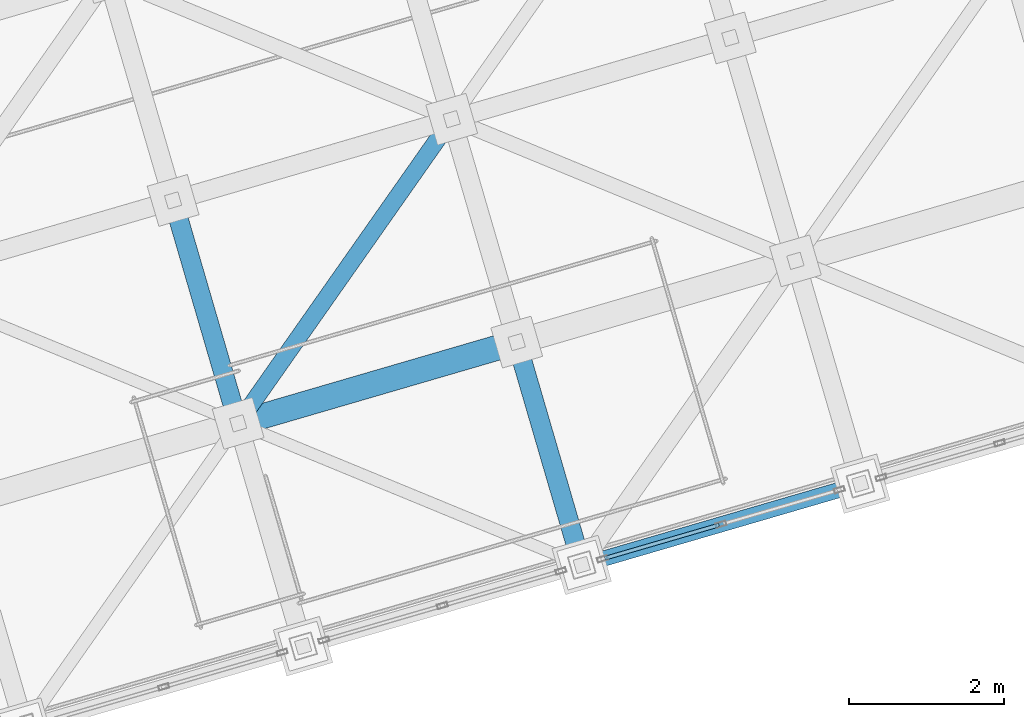
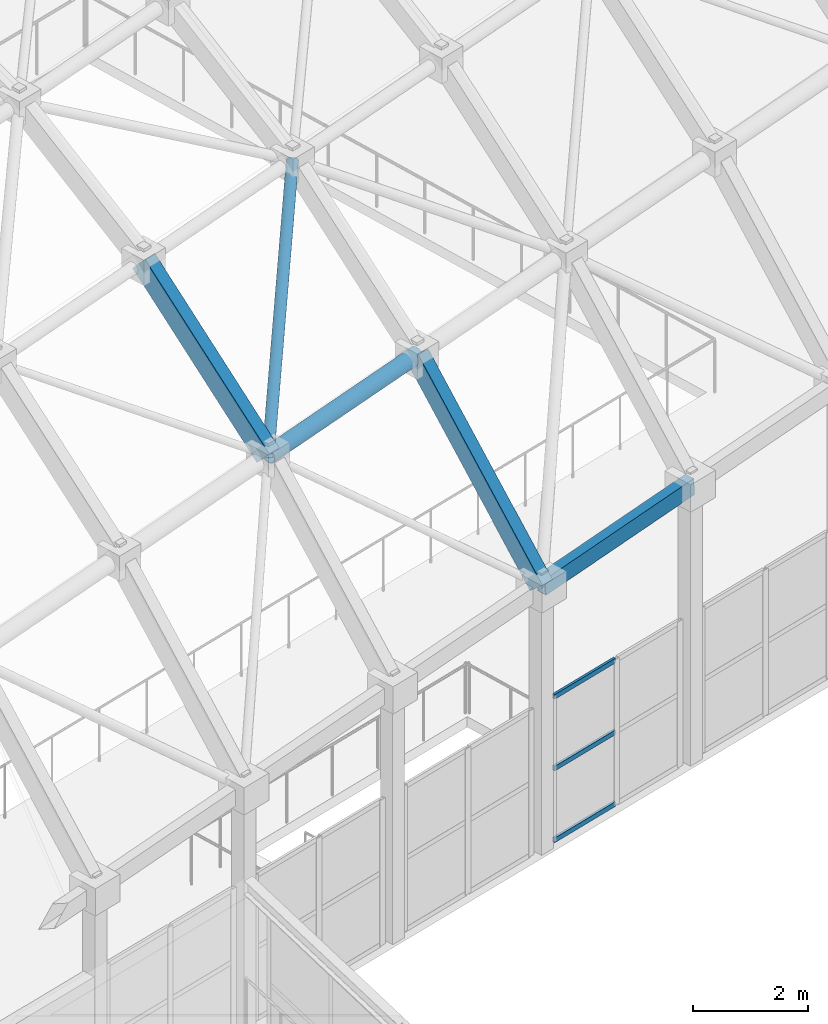
# One storey, part 61 of 248: 5 members, 3 beams, 1 element without a shape of its own.
"""IFC4 building model written with IfcOpenShell, lengths in metres."""

from ifc_helpers import new_model, si_unit, direction, frame, origin, origin_2d, place, context, subcontext, project, spatial, hollow_rectangle, hollow_circle, extrude, material, layer, layer_set, material_profile, profile_set, type_object, element, aggregate, save


model = new_model("IFC4")

# Units and contexts
model_context = context("Model", 3, precision=1e-05, world=origin(), true_north=direction((0.0, 1.0)))
body_context = subcontext(model_context, "Body", "Model", "MODEL_VIEW")
ifc_project = project(units=[si_unit("LENGTHUNIT", "METRE"), si_unit("AREAUNIT", "SQUARE_METRE"), si_unit("VOLUMEUNIT", "CUBIC_METRE"), si_unit("PLANEANGLEUNIT", "RADIAN"), si_unit("MASSUNIT", "GRAM", prefix="KILO")], contexts=[model_context])

# Site, building, storey
site_placement = place(None, origin())
site = spatial("IfcSite", under=ifc_project, at=site_placement, CompositionType="ELEMENT")
building_placement = place(site_placement, origin())
building = spatial("IfcBuilding", under=site, at=building_placement, Name="Canggui Botanical Conservatory", CompositionType="ELEMENT")
storey_placement = place(building_placement, frame((0.0, 0.0, 5.39990234375)))
storey = spatial("IfcBuildingStorey", under=building, at=storey_placement, Name="L02", CompositionType="ELEMENT", Elevation=5.39990234375)

# Beams
ifc_material_1 = material(Name="Steel Q355C", Category="steel")
ifc_material_profile_1 = material_profile(ifc_material_1, hollow_rectangle(XDim=0.25, YDim=0.449951171875, WallThickness=0.013916015625, at=origin_2d()), Name="RHS 250x450x14")
ifc_profile_set_1 = profile_set([ifc_material_profile_1], Name="Steel Q355C")
beam_type_1 = type_object("IfcBeamType", Name="BM-GJ02", PredefinedType="BEAM", material=ifc_profile_set_1)
beam_1_placement = place(storey_placement, frame((44.360107421875, 52.22998046875, 8.80615234375), z_axis=(-0.208553195479, 0.714996235706, 0.66729749556), x_axis=(-0.959995442804, -0.2800156242, 0.0)))
element("IfcBeam", 1, at=beam_1_placement, inside=storey, type_object=beam_type_1, Name="Conservatory Stepped-Arch Rib GJ-08 Segment 2", PredefinedType="BEAM", context=body_context, shape_type="SweptSolid", body=[
    extrude(hollow_rectangle(XDim=0.25, YDim=0.449951171875, WallThickness=0.013916015625, at=origin_2d()), origin(), (0.0, 0.0, 1.0), 4.028076171875),
])
ifc_material_profile_2 = material_profile(ifc_material_1, hollow_rectangle(XDim=0.25, YDim=0.39990234375, WallThickness=0.013916015625, at=origin_2d()), Name="RHS 250x400x14")
ifc_profile_set_2 = profile_set([ifc_material_profile_2], Name="Steel Q355C")
beam_type_2 = type_object("IfcBeamType", Name="BM-GJ03", PredefinedType="BEAM", material=ifc_profile_set_2)
beam_2_placement = place(storey_placement, frame((48.800048828125, 50.39990234375, 5.60009765625), z_axis=(-0.183561899057, 0.629316978545, 0.755159036051), x_axis=(-0.959995442804, -0.2800156242, 0.0)))
element("IfcBeam", 2, at=beam_2_placement, inside=storey, type_object=beam_type_2, Name="Conservatory Stepped-Arch Rib GJ-09 Segment 1", PredefinedType="BEAM", context=body_context, shape_type="SweptSolid", body=[
    extrude(hollow_rectangle(XDim=0.25, YDim=0.39990234375, WallThickness=0.013916015625, at=origin_2d()), origin(), (0.0, 0.0, 1.0), 4.57666015625),
])
ifc_material_profile_3 = material_profile(ifc_material_1, hollow_rectangle(XDim=0.199951171875, YDim=0.35009765625, WallThickness=0.011962890625, at=origin_2d()), Name="RHS 200x350x12")
ifc_profile_set_3 = profile_set([ifc_material_profile_3], Name="Steel Q355C")
beam_type_3 = type_object("IfcBeamType", Name="BM-RING01", PredefinedType="BEAM", material=ifc_profile_set_3)
beam_3_placement = place(storey_placement, frame((48.800048828125, 50.39990234375, 5.60009765625), z_axis=(0.957867059601, 0.279402253194, 0.066521252562), x_axis=(-0.280022500685, 0.959993437014, 0.0)))
element("IfcBeam", 3, at=beam_3_placement, inside=storey, type_object=beam_type_3, Name="Conservatory Perimeter Ring Beam V0-09", PredefinedType="BEAM", context=body_context, shape_type="SweptSolid", body=[
    extrude(hollow_rectangle(XDim=0.199951171875, YDim=0.35009765625, WallThickness=0.011962890625, at=origin_2d()), origin(), (0.0, 0.0, 1.0), 3.75830078125),
])

# Curtain wall, members
ifc_material_2 = material(Name="Thermally Broken Aluminium", Category="aluminium")
ifc_layer = layer(ifc_material_2, 0.135009765625, Name="Thermally Broken Aluminium", Category="aluminium")
ifc_layer_set = layer_set([ifc_layer], Name="Thermally Broken Aluminium")
curtain_wall_type = type_object("IfcCurtainWallType", Name="CW-STICK-A", PredefinedType="USERDEFINED", material=ifc_layer_set)
curtain_wall_placement = place(storey_placement, origin())
curtain_wall = element("IfcCurtainWall", 4, at=curtain_wall_placement, inside=storey, type_object=curtain_wall_type, Name="Facade Curtain Wall CW-CONS-L02-V0-09", ObjectType="STICK GLAZED WALL", PredefinedType="USERDEFINED")
ifc_material_profile_4 = material_profile(ifc_material_2, hollow_rectangle(XDim=0.050048828125, YDim=0.10009765625, WallThickness=0.0029296875, at=origin_2d()), Name="CWT 50x100x3")
ifc_profile_set_4 = profile_set([ifc_material_profile_4], Name="Thermally Broken Aluminium")
member_type_1 = type_object("IfcMemberType", Name="CWT-04", PredefinedType="USERDEFINED", material=ifc_profile_set_4)
member_1_placement = place(storey_placement, frame((50.5712890625, 50.91650390625, 0.025146484375), z_axis=(-0.960021373424, -0.279926709282, 0.0), x_axis=(0.279926709282, -0.960021373424, 0.0)))
member_1 = element("IfcMember", 5, at=member_1_placement, type_object=member_type_1, Name="CW-04 transom 2.1", ObjectType="TRANSOM", PredefinedType="USERDEFINED", context=body_context, shape_type="SweptSolid", body=[
    extrude(hollow_rectangle(XDim=0.050048828125, YDim=0.10009765625, WallThickness=0.0029296875, at=origin_2d()), origin(), (0.0, 0.0, 1.0), 1.534912109375),
])
member_2_placement = place(storey_placement, frame((50.5712890625, 50.91650390625, 1.550048828125), z_axis=(-0.960021373424, -0.279926709282, 0.0), x_axis=(0.279926709282, -0.960021373424, 0.0)))
member_2 = element("IfcMember", 6, at=member_2_placement, type_object=member_type_1, Name="CW-04 transom 2.2", ObjectType="TRANSOM", PredefinedType="USERDEFINED", context=body_context, shape_type="SweptSolid", body=[
    extrude(hollow_rectangle(XDim=0.050048828125, YDim=0.10009765625, WallThickness=0.0029296875, at=origin_2d()), origin(), (0.0, 0.0, 1.0), 1.534912109375),
])
member_3_placement = place(storey_placement, frame((50.5712890625, 50.91650390625, 3.0751953125), z_axis=(-0.960021373424, -0.279926709282, 0.0), x_axis=(0.279926709282, -0.960021373424, 0.0)))
member_3 = element("IfcMember", 7, at=member_3_placement, type_object=member_type_1, Name="CW-04 transom 2.3", ObjectType="TRANSOM", PredefinedType="USERDEFINED", context=body_context, shape_type="SweptSolid", body=[
    extrude(hollow_rectangle(XDim=0.050048828125, YDim=0.10009765625, WallThickness=0.0029296875, at=origin_2d()), origin(), (0.0, 0.0, 1.0), 1.534912109375),
])
aggregate(curtain_wall, [member_1, member_2, member_3])

# Members
ifc_material_profile_5 = material_profile(ifc_material_1, hollow_circle(Radius=0.16259765625, WallThickness=0.011962890625, at=origin_2d()), Name="CHS 325x12")
ifc_profile_set_5 = profile_set([ifc_material_profile_5], Name="Steel Q355C")
member_type_2 = type_object("IfcMemberType", Name="MEM-GSC01", PredefinedType="CHORD", material=ifc_profile_set_5)
member_4_placement = place(storey_placement, frame((44.360107421875, 52.22998046875, 8.80615234375), z_axis=(0.957867059601, 0.279402253194, 0.066521252562), x_axis=(-0.280022500685, 0.959993437014, 0.0)))
element("IfcMember", 8, at=member_4_placement, inside=storey, type_object=member_type_2, Name="Conservatory Gridshell Longitudinal Chord 8-1", PredefinedType="CHORD", context=body_context, shape_type="SweptSolid", body=[
    extrude(hollow_circle(Radius=0.16259765625, WallThickness=0.011962890625, at=origin_2d()), origin(), (0.0, 0.0, 1.0), 3.75830078125),
])
ifc_material_profile_6 = material_profile(ifc_material_1, hollow_circle(Radius=0.109619140625, WallThickness=0.008056640625, at=origin_2d()), Name="CHS 219x8")
ifc_profile_set_6 = profile_set([ifc_material_profile_6], Name="Steel Q355C")
member_type_3 = type_object("IfcMemberType", Name="MEM-GSD01", PredefinedType="RAFTER", material=ifc_profile_set_6)
member_5_placement = place(storey_placement, frame((44.360107421875, 52.22998046875, 8.80615234375), z_axis=(0.49025667873, 0.698068266918, 0.521870753811), x_axis=(-0.818344854073, 0.574727500484, 0.0)))
element("IfcMember", 9, at=member_5_placement, inside=storey, type_object=member_type_3, Name="Conservatory Gridshell Diagrid Rafter 8-2", PredefinedType="RAFTER", context=body_context, shape_type="SweptSolid", body=[
    extrude(hollow_circle(Radius=0.109619140625, WallThickness=0.008056640625, at=origin_2d()), origin(), (0.0, 0.0, 1.0), 5.629638671875),
])

save(model, "model.ifc")
